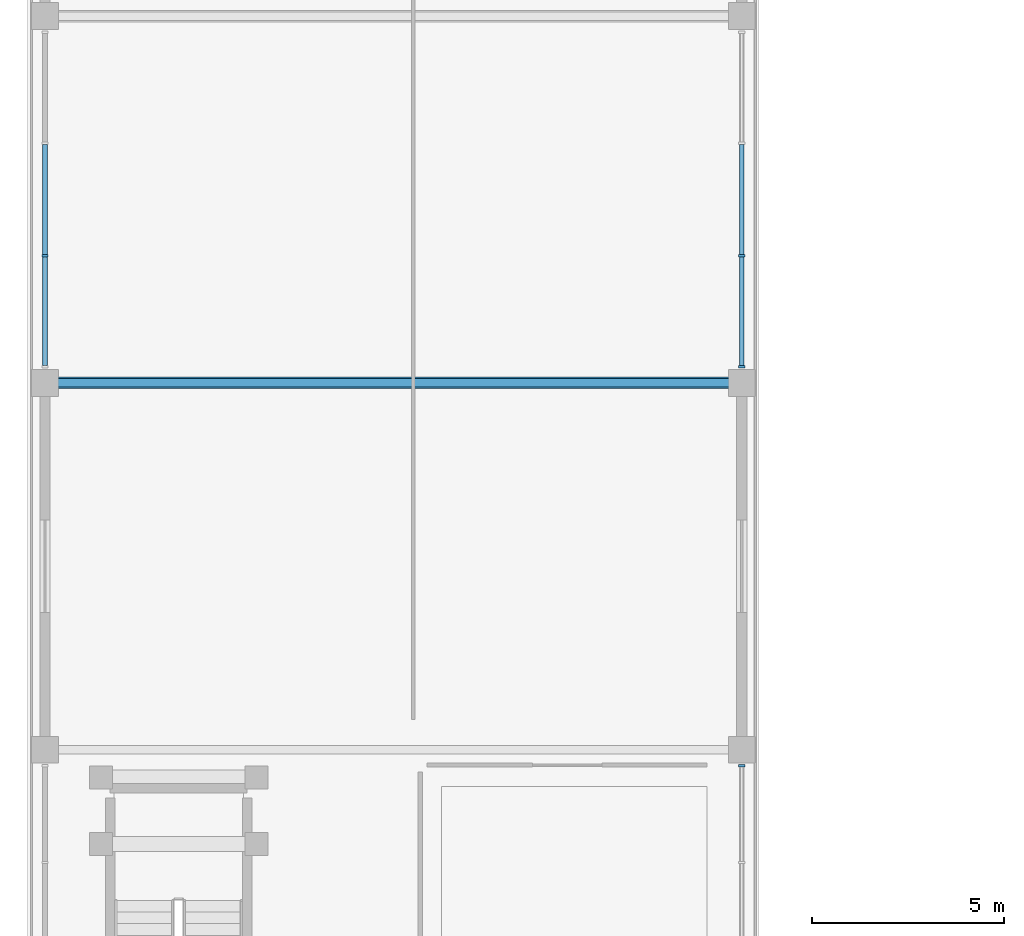
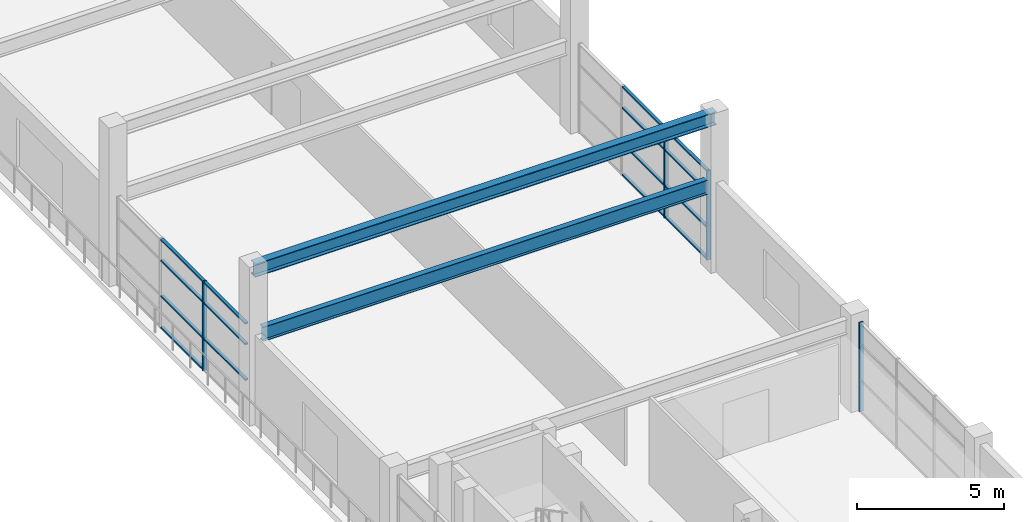
# One storey, part 30 of 72: 19 members, 2 beams, 3 elements without a shape of their own.
"""IFC4 building model written with IfcOpenShell, lengths in metres."""

from ifc_helpers import new_model, si_unit, direction, frame, origin, origin_2d, place, context, subcontext, project, spatial, rectangle, i_section, extrude, material, material_profile, profile_set, type_object, element, aggregate, save


model = new_model("IFC4")

# Units and contexts
model_context = context("Model", 3, precision=1e-05, world=origin(), true_north=direction((0.0, 1.0)))
body_context = subcontext(model_context, "Body", "Model", "MODEL_VIEW")
ifc_project = project(units=[si_unit("LENGTHUNIT", "METRE"), si_unit("AREAUNIT", "SQUARE_METRE"), si_unit("VOLUMEUNIT", "CUBIC_METRE"), si_unit("PLANEANGLEUNIT", "RADIAN"), si_unit("MASSUNIT", "GRAM", prefix="KILO")], contexts=[model_context])

# Site, building, storey
site_placement = place(None, origin())
site = spatial("IfcSite", under=ifc_project, at=site_placement, CompositionType="ELEMENT")
building_placement = place(site_placement, origin())
building = spatial("IfcBuilding", under=site, at=building_placement, Name="Saryqyr Civic Hall", CompositionType="ELEMENT")
storey_placement = place(building_placement, frame((0.0, 0.0, 17.25)))
storey = spatial("IfcBuildingStorey", under=building, at=storey_placement, Name="L04", CompositionType="ELEMENT", Elevation=17.25)

# Curtain wall, members
ifc_material_1 = material(Name="Anodised aluminium and triple low-E glass", Category="aluminium")
curtain_wall_type_1 = type_object("IfcCurtainWallType", Name="ENV-CW-STD-55", PredefinedType="NOTDEFINED", material=ifc_material_1)
curtain_wall_1_placement = place(storey_placement, origin())
curtain_wall_1 = element("IfcCurtainWall", 1, at=curtain_wall_1_placement, inside=storey, type_object=curtain_wall_type_1, Name="Curtain wall V3-CW-L04-1-3", PredefinedType="NOTDEFINED")
ifc_material_2 = material(Name="Anodised aluminium", Category="aluminium")
ifc_material_profile_1 = material_profile(ifc_material_2, rectangle(XDim=0.06005859375, YDim=0.159912109375, at=origin_2d()), Name="ALU MULLION 60x160")
ifc_profile_set_1 = profile_set([ifc_material_profile_1], Name="Anodised aluminium")
member_type_1 = type_object("IfcMemberType", Name="ENV-CW-MUL-180", PredefinedType="MULLION", material=ifc_profile_set_1)
member_1_placement = place(storey_placement, frame((26.14990234375, 130.436767578125, 0.0), z_axis=(0.0, 0.0, 1.0), x_axis=(0.0, -1.0, 0.0)))
member_1 = element("IfcMember", 2, at=member_1_placement, type_object=member_type_1, Name="CW-55 mullion 3", PredefinedType="MULLION", context=body_context, shape_type="SweptSolid", body=[
    extrude(rectangle(XDim=0.06005859375, YDim=0.159912109375, at=origin_2d()), origin(), (0.0, 0.0, 1.0), 3.699951171875),
])
member_2_placement = place(storey_placement, frame((26.14990234375, 127.550048828125, 0.0), z_axis=(0.0, 0.0, 1.0), x_axis=(0.0, -1.0, 0.0)))
member_2 = element("IfcMember", 3, at=member_2_placement, type_object=member_type_1, Name="CW-55 mullion 4", PredefinedType="MULLION", context=body_context, shape_type="SweptSolid", body=[
    extrude(rectangle(XDim=0.06005859375, YDim=0.159912109375, at=origin_2d()), origin(), (0.0, 0.0, 1.0), 3.699951171875),
])

# Curtain wall, member
curtain_wall_type_2 = type_object("IfcCurtainWallType", Name="ENV-CW-STD-56", PredefinedType="NOTDEFINED", material=ifc_material_1)
curtain_wall_2_placement = place(storey_placement, origin())
curtain_wall_2 = element("IfcCurtainWall", 4, at=curtain_wall_2_placement, inside=storey, type_object=curtain_wall_type_2, Name="Curtain wall V3-CW-L04-1-5", PredefinedType="NOTDEFINED")
member_3_placement = place(storey_placement, frame((26.14990234375, 117.179931640625, 0.0), z_axis=(0.0, 0.0, 1.0), x_axis=(0.0, -1.0, 0.0)))
member_3 = element("IfcMember", 5, at=member_3_placement, type_object=member_type_1, Name="CW-56 mullion 1", PredefinedType="MULLION", context=body_context, shape_type="SweptSolid", body=[
    extrude(rectangle(XDim=0.06005859375, YDim=0.159912109375, at=origin_2d()), origin(), (0.0, 0.0, 1.0), 3.699951171875),
])
aggregate(curtain_wall_2, [member_3])

curtain_wall_3_placement = place(storey_placement, origin())
curtain_wall_3 = element("IfcCurtainWall", 6, at=curtain_wall_3_placement, inside=storey, type_object=curtain_wall_type_1, Name="Curtain wall V3-CW-L04-3-3", PredefinedType="NOTDEFINED")
member_4_placement = place(storey_placement, frame((8.050048828125, 130.436767578125, 0.0), z_axis=(0.0, 0.0, 1.0), x_axis=(0.0, 1.0, 0.0)))
member_4 = element("IfcMember", 7, at=member_4_placement, type_object=member_type_1, Name="CW-55 mullion 2", PredefinedType="MULLION", context=body_context, shape_type="SweptSolid", body=[
    extrude(rectangle(XDim=0.06005859375, YDim=0.159912109375, at=origin_2d()), origin(), (0.0, 0.0, 1.0), 3.699951171875),
])

# Member
ifc_material_profile_2 = material_profile(ifc_material_2, rectangle(XDim=0.1201171875, YDim=0.06005859375, at=origin_2d()), Name="ALU TRANSOM 120x60")
ifc_profile_set_2 = profile_set([ifc_material_profile_2], Name="Anodised aluminium")
member_type_2 = type_object("IfcMemberType", Name="ENV-CW-TRN-150", PredefinedType="USERDEFINED", material=ifc_profile_set_2)
member_5_placement = place(storey_placement, frame((26.14990234375, 133.3232421875, 0.030029296875), z_axis=(0.0, -1.0, 0.0), x_axis=(1.0, 0.0, 0.0)))
member_5 = element("IfcMember", 8, at=member_5_placement, type_object=member_type_2, Name="CW-55 transom 2.1", ObjectType="TRANSOM", PredefinedType="USERDEFINED", context=body_context, shape_type="SweptSolid", body=[
    extrude(rectangle(XDim=0.1201171875, YDim=0.06005859375, at=origin_2d()), origin(), (0.0, 0.0, 1.0), 2.856689453125),
])

member_6_placement = place(storey_placement, frame((26.14990234375, 133.3232421875, 1.33203125), z_axis=(0.0, -1.0, 0.0), x_axis=(1.0, 0.0, 0.0)))
member_6 = element("IfcMember", 9, at=member_6_placement, type_object=member_type_2, Name="CW-55 transom 2.2", ObjectType="TRANSOM", PredefinedType="USERDEFINED", context=body_context, shape_type="SweptSolid", body=[
    extrude(rectangle(XDim=0.1201171875, YDim=0.06005859375, at=origin_2d()), origin(), (0.0, 0.0, 1.0), 2.856689453125),
])

member_7_placement = place(storey_placement, frame((26.14990234375, 133.3232421875, 2.81201171875), z_axis=(0.0, -1.0, 0.0), x_axis=(1.0, 0.0, 0.0)))
member_7 = element("IfcMember", 10, at=member_7_placement, type_object=member_type_2, Name="CW-55 transom 2.3", ObjectType="TRANSOM", PredefinedType="USERDEFINED", context=body_context, shape_type="SweptSolid", body=[
    extrude(rectangle(XDim=0.1201171875, YDim=0.06005859375, at=origin_2d()), origin(), (0.0, 0.0, 1.0), 2.856689453125),
])

member_8_placement = place(storey_placement, frame((26.14990234375, 133.3232421875, 3.669921875), z_axis=(0.0, -1.0, 0.0), x_axis=(1.0, 0.0, 0.0)))
member_8 = element("IfcMember", 11, at=member_8_placement, type_object=member_type_2, Name="CW-55 transom 2.4", ObjectType="TRANSOM", PredefinedType="USERDEFINED", context=body_context, shape_type="SweptSolid", body=[
    extrude(rectangle(XDim=0.1201171875, YDim=0.06005859375, at=origin_2d()), origin(), (0.0, 0.0, 1.0), 2.856689453125),
])

member_9_placement = place(storey_placement, frame((26.14990234375, 130.40673828125, 0.030029296875), z_axis=(0.0, -1.0, 0.0), x_axis=(1.0, 0.0, 0.0)))
member_9 = element("IfcMember", 12, at=member_9_placement, type_object=member_type_2, Name="CW-55 transom 3.1", ObjectType="TRANSOM", PredefinedType="USERDEFINED", context=body_context, shape_type="SweptSolid", body=[
    extrude(rectangle(XDim=0.1201171875, YDim=0.06005859375, at=origin_2d()), origin(), (0.0, 0.0, 1.0), 2.82666015625),
])

member_10_placement = place(storey_placement, frame((26.14990234375, 130.40673828125, 1.33203125), z_axis=(0.0, -1.0, 0.0), x_axis=(1.0, 0.0, 0.0)))
member_10 = element("IfcMember", 13, at=member_10_placement, type_object=member_type_2, Name="CW-55 transom 3.2", ObjectType="TRANSOM", PredefinedType="USERDEFINED", context=body_context, shape_type="SweptSolid", body=[
    extrude(rectangle(XDim=0.1201171875, YDim=0.06005859375, at=origin_2d()), origin(), (0.0, 0.0, 1.0), 2.82666015625),
])

member_11_placement = place(storey_placement, frame((26.14990234375, 130.40673828125, 2.81201171875), z_axis=(0.0, -1.0, 0.0), x_axis=(1.0, 0.0, 0.0)))
member_11 = element("IfcMember", 14, at=member_11_placement, type_object=member_type_2, Name="CW-55 transom 3.3", ObjectType="TRANSOM", PredefinedType="USERDEFINED", context=body_context, shape_type="SweptSolid", body=[
    extrude(rectangle(XDim=0.1201171875, YDim=0.06005859375, at=origin_2d()), origin(), (0.0, 0.0, 1.0), 2.82666015625),
])

member_12_placement = place(storey_placement, frame((26.14990234375, 130.40673828125, 3.669921875), z_axis=(0.0, -1.0, 0.0), x_axis=(1.0, 0.0, 0.0)))
member_12 = element("IfcMember", 15, at=member_12_placement, type_object=member_type_2, Name="CW-55 transom 3.4", ObjectType="TRANSOM", PredefinedType="USERDEFINED", context=body_context, shape_type="SweptSolid", body=[
    extrude(rectangle(XDim=0.1201171875, YDim=0.06005859375, at=origin_2d()), origin(), (0.0, 0.0, 1.0), 2.82666015625),
])

aggregate(curtain_wall_1, [member_1, member_2, member_5, member_6, member_7, member_8, member_9, member_10, member_11, member_12])

member_13_placement = place(storey_placement, frame((8.050048828125, 127.580078125, 1.33203125), z_axis=(0.0, 1.0, 0.0), x_axis=(-1.0, 0.0, 0.0)))
member_13 = element("IfcMember", 16, at=member_13_placement, type_object=member_type_2, Name="CW-55 transom 1.2", ObjectType="TRANSOM", PredefinedType="USERDEFINED", context=body_context, shape_type="SweptSolid", body=[
    extrude(rectangle(XDim=0.1201171875, YDim=0.06005859375, at=origin_2d()), origin(), (0.0, 0.0, 1.0), 2.82666015625),
])

member_14_placement = place(storey_placement, frame((8.050048828125, 127.580078125, 2.81201171875), z_axis=(0.0, 1.0, 0.0), x_axis=(-1.0, 0.0, 0.0)))
member_14 = element("IfcMember", 17, at=member_14_placement, type_object=member_type_2, Name="CW-55 transom 1.3", ObjectType="TRANSOM", PredefinedType="USERDEFINED", context=body_context, shape_type="SweptSolid", body=[
    extrude(rectangle(XDim=0.1201171875, YDim=0.06005859375, at=origin_2d()), origin(), (0.0, 0.0, 1.0), 2.82666015625),
])

member_15_placement = place(storey_placement, frame((8.050048828125, 127.580078125, 3.669921875), z_axis=(0.0, 1.0, 0.0), x_axis=(-1.0, 0.0, 0.0)))
member_15 = element("IfcMember", 18, at=member_15_placement, type_object=member_type_2, Name="CW-55 transom 1.4", ObjectType="TRANSOM", PredefinedType="USERDEFINED", context=body_context, shape_type="SweptSolid", body=[
    extrude(rectangle(XDim=0.1201171875, YDim=0.06005859375, at=origin_2d()), origin(), (0.0, 0.0, 1.0), 2.82666015625),
])

member_16_placement = place(storey_placement, frame((8.050048828125, 130.466552734375, 0.030029296875), z_axis=(0.0, 1.0, 0.0), x_axis=(-1.0, 0.0, 0.0)))
member_16 = element("IfcMember", 19, at=member_16_placement, type_object=member_type_2, Name="CW-55 transom 2.1", ObjectType="TRANSOM", PredefinedType="USERDEFINED", context=body_context, shape_type="SweptSolid", body=[
    extrude(rectangle(XDim=0.1201171875, YDim=0.06005859375, at=origin_2d()), origin(), (0.0, 0.0, 1.0), 2.856689453125),
])

member_17_placement = place(storey_placement, frame((8.050048828125, 130.466552734375, 1.33203125), z_axis=(0.0, 1.0, 0.0), x_axis=(-1.0, 0.0, 0.0)))
member_17 = element("IfcMember", 20, at=member_17_placement, type_object=member_type_2, Name="CW-55 transom 2.2", ObjectType="TRANSOM", PredefinedType="USERDEFINED", context=body_context, shape_type="SweptSolid", body=[
    extrude(rectangle(XDim=0.1201171875, YDim=0.06005859375, at=origin_2d()), origin(), (0.0, 0.0, 1.0), 2.856689453125),
])

member_18_placement = place(storey_placement, frame((8.050048828125, 130.466552734375, 2.81201171875), z_axis=(0.0, 1.0, 0.0), x_axis=(-1.0, 0.0, 0.0)))
member_18 = element("IfcMember", 21, at=member_18_placement, type_object=member_type_2, Name="CW-55 transom 2.3", ObjectType="TRANSOM", PredefinedType="USERDEFINED", context=body_context, shape_type="SweptSolid", body=[
    extrude(rectangle(XDim=0.1201171875, YDim=0.06005859375, at=origin_2d()), origin(), (0.0, 0.0, 1.0), 2.856689453125),
])

member_19_placement = place(storey_placement, frame((8.050048828125, 130.466552734375, 3.669921875), z_axis=(0.0, 1.0, 0.0), x_axis=(-1.0, 0.0, 0.0)))
member_19 = element("IfcMember", 22, at=member_19_placement, type_object=member_type_2, Name="CW-55 transom 2.4", ObjectType="TRANSOM", PredefinedType="USERDEFINED", context=body_context, shape_type="SweptSolid", body=[
    extrude(rectangle(XDim=0.1201171875, YDim=0.06005859375, at=origin_2d()), origin(), (0.0, 0.0, 1.0), 2.856689453125),
])

aggregate(curtain_wall_3, [member_4, member_13, member_14, member_15, member_16, member_17, member_18, member_19])

# Beams
ifc_material_3 = material(Name="Steel S355", Category="steel")
ifc_material_profile_3 = material_profile(ifc_material_3, i_section(OverallWidth=0.300048828125, OverallDepth=0.550048828125, WebThickness=0.014892578125, FlangeThickness=0.029052734375, at=origin_2d()), Name="HEB 550")
ifc_profile_set_3 = profile_set([ifc_material_profile_3], Name="Steel S355")
beam_type_1 = type_object("IfcBeamType", Name="STR-BM-HEB550", PredefinedType="BEAM", material=ifc_profile_set_3)
beam_1_placement = place(storey_placement, frame((8.050048828125, 127.1298828125, 6.2099609375), z_axis=(1.0, 0.0, 0.0), x_axis=(0.0, 1.0, 0.0)))
element("IfcBeam", 23, at=beam_1_placement, inside=storey, type_object=beam_type_1, Name="Reading Hall sawtooth ridge girder 2", PredefinedType="BEAM", context=body_context, shape_type="SweptSolid", body=[
    extrude(i_section(OverallWidth=0.300048828125, OverallDepth=0.550048828125, WebThickness=0.014892578125, FlangeThickness=0.029052734375, at=origin_2d()), origin(), (0.0, 0.0, 1.0), 18.099853515625),
])
ifc_material_profile_4 = material_profile(ifc_material_3, i_section(OverallWidth=0.219970703125, OverallDepth=0.60009765625, WebThickness=0.011962890625, FlangeThickness=0.01904296875, at=origin_2d()), Name="IPE 600")
ifc_profile_set_4 = profile_set([ifc_material_profile_4], Name="Steel S355")
beam_type_2 = type_object("IfcBeamType", Name="STR-BM-IPE600", PredefinedType="BEAM", material=ifc_profile_set_4)
beam_2_placement = place(storey_placement, frame((8.375, 127.1298828125, 3.429931640625), z_axis=(1.0, 0.0, 0.0), x_axis=(0.0, 1.0, 0.0)))
element("IfcBeam", 24, at=beam_2_placement, inside=storey, type_object=beam_type_2, Name="Beam V3-SAW-VGB-2", PredefinedType="BEAM", context=body_context, shape_type="SweptSolid", body=[
    extrude(i_section(OverallWidth=0.219970703125, OverallDepth=0.60009765625, WebThickness=0.011962890625, FlangeThickness=0.01904296875, at=origin_2d()), origin(), (0.0, 0.0, 1.0), 17.449951171875),
])

save(model, "model.ifc")
